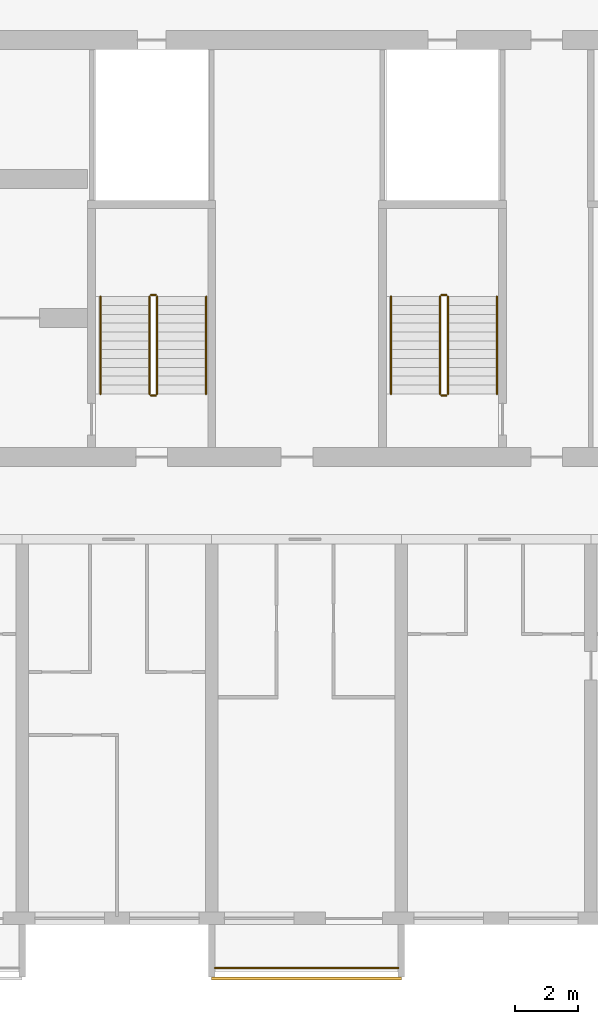
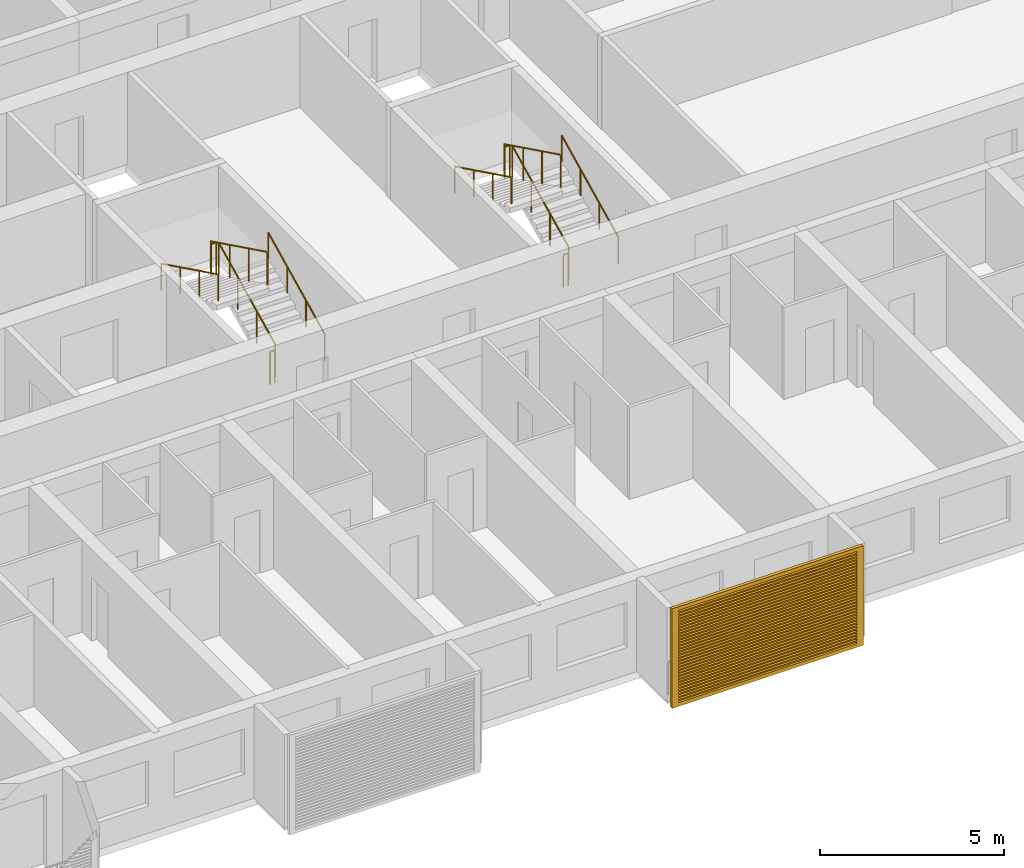
# One storey, part 32 of 40: 13 railings, 1 shading device.
"""IFC4 building model written with IfcOpenShell, lengths in metres."""

import ifcopenshell
import ifcopenshell.guid

model = None  # the IFC model being written
_history = None  # IfcOwnerHistory: only IFC2X3 demands one
_inside = {}  # id of a spatial element -> (the spatial element, [elements in it])
_under = {}  # id of a project, library or spatial element -> (it, [spatial elements below it])
_declared = {}  # id of a project -> (the project, [libraries it declares])
_typed = {}  # id of a type object -> (the type object, [elements of that type])
_made_of = {}  # id of a material, layer set ... -> (it, [elements and type objects made of it])


def new_model(schema):
    """Start an empty IFC model of exactly this schema.

    Asked for "IFC4X3", IfcOpenShell would pick the latest addendum, in which some entities
    have other attributes; the version numbers below select the first issue.
    IFC2X3 requires an IfcOwnerHistory on every rooted entity: one is made here for all.
    """
    global model, _history
    if schema == "IFC4X3":
        model = ifcopenshell.file(schema_version=(4, 3, 0, 0))
    else:
        model = ifcopenshell.file(schema=schema)
    _inside.clear()
    _under.clear()
    _declared.clear()
    _typed.clear()
    _made_of.clear()
    _history = None
    if model.schema == "IFC2X3":
        org = make("IfcOrganization", Name="unknown")
        user = make(
            "IfcPersonAndOrganization",
            ThePerson=make("IfcPerson", FamilyName="unknown"),
            TheOrganization=org,
        )
        app = make(
            "IfcApplication",
            ApplicationDeveloper=org,
            Version="unknown",
            ApplicationFullName="unknown",
            ApplicationIdentifier="unknown",
        )
        _history = make(
            "IfcOwnerHistory",
            OwningUser=user,
            OwningApplication=app,
            ChangeAction="ADDED",
            CreationDate=0,
        )
    return model


def make(cls, **values):
    """One entity of the class cls with the attributes given. An attribute that is None is left unset."""
    return model.create_entity(
        cls, **{name: value for name, value in values.items() if value is not None}
    )


def rooted(cls, **values):
    """An entity with a GlobalId (a new one), such as an element, a storey or a relation."""
    return make(cls, GlobalId=ifcopenshell.guid.new(), OwnerHistory=_history, **values)


def si_unit(unit_type, name, prefix=None):
    """IfcSIUnit, for example si_unit("LENGTHUNIT", "METRE", prefix="MILLI")."""
    return make("IfcSIUnit", UnitType=unit_type, Prefix=prefix, Name=name)


def assignment(units):
    """IfcUnitAssignment: the units of a project."""
    return None if units is None else make("IfcUnitAssignment", Units=units)


def point(xyz):
    """IfcCartesianPoint."""
    return None if xyz is None else make("IfcCartesianPoint", Coordinates=xyz)


def direction(xyz):
    """IfcDirection."""
    return None if xyz is None else make("IfcDirection", DirectionRatios=xyz)


def frame(location, z_axis=None, x_axis=None):
    """IfcAxis2Placement3D, a coordinate frame: its origin and axes. An axis left out is left unset."""
    return make(
        "IfcAxis2Placement3D",
        Location=point(location),
        Axis=direction(z_axis),
        RefDirection=direction(x_axis),
    )


def frame_2d(location, x_axis=None):
    """IfcAxis2Placement2D, a coordinate frame in the plane: its origin and x axis."""
    return make(
        "IfcAxis2Placement2D", Location=point(location), RefDirection=direction(x_axis)
    )


def origin():
    """The frame at (0, 0, 0) with its axes left unset."""
    return frame((0.0, 0.0, 0.0))


def origin_2d():
    """The frame at (0, 0) in the plane with its x axis left unset."""
    return frame_2d((0.0, 0.0))


def place(relative_to, where):
    """IfcLocalPlacement: puts the frame where relative to a parent placement (None: the world)."""
    return make(
        "IfcLocalPlacement", PlacementRelTo=relative_to, RelativePlacement=where
    )


def context(
    kind, dimensions, precision=None, world=None, true_north=None, identifier=None
):
    """IfcGeometricRepresentationContext, for example the 3D "Model" context."""
    return make(
        "IfcGeometricRepresentationContext",
        ContextIdentifier=identifier,
        ContextType=kind,
        CoordinateSpaceDimension=dimensions,
        Precision=precision,
        WorldCoordinateSystem=world,
        TrueNorth=true_north,
    )


def subcontext(parent, identifier, kind, view, scale=None):
    """IfcGeometricRepresentationSubContext, for example "Body" below "Model"."""
    return make(
        "IfcGeometricRepresentationSubContext",
        ContextIdentifier=identifier,
        ContextType=kind,
        ParentContext=parent,
        TargetScale=scale,
        TargetView=view,
    )


def project(units=None, contexts=None):
    """IfcProject with its units and contexts."""
    return rooted(
        "IfcProject",
        Name="project",
        RepresentationContexts=contexts,
        UnitsInContext=assignment(units),
    )


def spatial(cls, under=None, at=None, **own):
    """A site, building, storey or space (cls), placed at a placement, below another one or the project."""
    s = rooted(cls, ObjectPlacement=at, **own)
    if under is not None:
        _under.setdefault(under.id(), (under, []))[1].append(s)
    return s


def polyline(points):
    """IfcPolyline through the points."""
    return make("IfcPolyline", Points=[point(p) for p in points])


def profile(cls, at=None, kind="AREA", **sizes):
    """A parametric profile (cls). Its sizes go by their IFC names, for example OverallWidth=200.0."""
    return make(cls, ProfileType=kind, Position=at, **sizes)


def circle(**sizes):
    """IfcCircleProfileDef."""
    return profile("IfcCircleProfileDef", **sizes)


def outline(outer, holes=None, kind="AREA"):
    """IfcArbitraryClosedProfileDef: a profile drawn as a closed curve; with holes, ...WithVoids."""
    if holes is None:
        return make("IfcArbitraryClosedProfileDef", ProfileType=kind, OuterCurve=outer)
    return make(
        "IfcArbitraryProfileDefWithVoids",
        ProfileType=kind,
        OuterCurve=outer,
        InnerCurves=holes,
    )


def extrude(swept, where, along, depth):
    """IfcExtrudedAreaSolid: the profile swept, set in the frame where, extruded along a direction by depth."""
    return make(
        "IfcExtrudedAreaSolid",
        SweptArea=swept,
        Position=where,
        ExtrudedDirection=direction(along),
        Depth=depth,
    )


def shape(context_of_items, identifier, shape_type, items):
    """IfcShapeRepresentation: the items that make up one representation, for example the "Body"."""
    return make(
        "IfcShapeRepresentation",
        ContextOfItems=context_of_items,
        RepresentationIdentifier=identifier,
        RepresentationType=shape_type,
        Items=items,
    )


def source(mapping_origin, context_of_items, identifier, shape_type, items):
    """IfcRepresentationMap: a shape defined once, which mapped items show again and again."""
    return make(
        "IfcRepresentationMap",
        MappingOrigin=mapping_origin,
        MappedRepresentation=shape(context_of_items, identifier, shape_type, items),
    )


def transform(
    local_origin,
    x_axis=None,
    y_axis=None,
    z_axis=None,
    scale=None,
    scale2=None,
    scale3=None,
    uniform=True,
):
    """IfcCartesianTransformationOperator3D, or its non-uniform kind. x_axis, y_axis, z_axis: its Axis1, 2, 3."""
    if uniform:
        return make(
            "IfcCartesianTransformationOperator3D",
            Axis1=direction(x_axis),
            Axis2=direction(y_axis),
            LocalOrigin=point(local_origin),
            Scale=scale,
            Axis3=direction(z_axis),
        )
    return make(
        "IfcCartesianTransformationOperator3DnonUniform",
        Axis1=direction(x_axis),
        Axis2=direction(y_axis),
        LocalOrigin=point(local_origin),
        Scale=scale,
        Axis3=direction(z_axis),
        Scale2=scale2,
        Scale3=scale3,
    )


def mapped(mapping_source, mapping_target):
    """IfcMappedItem: shows the shape of a source again, moved by a transform."""
    return make(
        "IfcMappedItem", MappingSource=mapping_source, MappingTarget=mapping_target
    )


def material(Name=None, Category=None):
    """IfcMaterial."""
    return make("IfcMaterial", Name=Name, Category=Category)


def material_profile(
    of_material, cross_section, Name=None, Category=None, Priority=None
):
    """IfcMaterialProfile: a cross section and its material."""
    return make(
        "IfcMaterialProfile",
        Name=Name,
        Material=of_material,
        Profile=cross_section,
        Priority=Priority,
        Category=Category,
    )


def profile_set(profiles, Name=None, composite=None):
    """IfcMaterialProfileSet."""
    return make(
        "IfcMaterialProfileSet",
        Name=Name,
        MaterialProfiles=profiles,
        CompositeProfile=composite,
    )


def made_of(thing, what):
    """Note that an element or type object is made of a material, layer set ...; save() writes the relation."""
    if what is not None:
        _made_of.setdefault(what.id(), (what, []))[1].append(thing)
    return thing


def type_object(cls, material=None, **own):
    """A type object (cls), such as IfcWallType, which elements share."""
    return made_of(rooted(cls, **own), material)


def element(
    cls,
    number,
    at=None,
    inside=None,
    cuts=None,
    type_object=None,
    material=None,
    context=None,
    identifier="Body",
    shape_type=None,
    held_by="IfcProductDefinitionShape",
    body=None,
    shapes=None,
    **own,
):
    """One element of the class cls, such as IfcWall. Its Tag is "e" and its number.

    at: its placement. inside: the storey or other place that contains it. cuts: it is an
    opening in that element (IfcRelVoidsElement). A single representation is given by context,
    identifier, shape_type and body (its items); several are given by shapes. held_by: the class
    of the entity that holds the representations. save() writes the other relations.
    """
    e = rooted(cls, Tag="e%d" % number, ObjectPlacement=at, **own)
    if body is not None:
        shapes = [shape(context, identifier, shape_type, body)]
    if shapes is not None:
        e.Representation = make(held_by, Representations=shapes)
    if inside is not None:
        _inside.setdefault(inside.id(), (inside, []))[1].append(e)
    if cuts is not None:
        rooted(
            "IfcRelVoidsElement", RelatingBuildingElement=cuts, RelatedOpeningElement=e
        )
    if type_object is not None:
        _typed.setdefault(type_object.id(), (type_object, []))[1].append(e)
    return made_of(e, material)


def aggregate(whole, parts):
    """IfcRelAggregates: a whole, such as a stair, and the parts it consists of."""
    return rooted("IfcRelAggregates", RelatingObject=whole, RelatedObjects=parts)


def save(model, path):
    """Write the relations noted so far, then the file.

    IfcRelAggregates (storeys below a building ...), IfcRelContainedInSpatialStructure (elements
    in a storey), IfcRelDefinesByType, IfcRelAssociatesMaterial and IfcRelDeclares: one each for
    every whole, place, type object, material and project.
    """
    for whole, parts in _under.values():
        aggregate(whole, parts)
    for where, things in _inside.values():
        rooted(
            "IfcRelContainedInSpatialStructure",
            RelatedElements=things,
            RelatingStructure=where,
        )
    for kind, things in _typed.values():
        rooted("IfcRelDefinesByType", RelatedObjects=things, RelatingType=kind)
    for what, things in _made_of.values():
        rooted("IfcRelAssociatesMaterial", RelatedObjects=things, RelatingMaterial=what)
    for by, libraries in _declared.values():
        rooted("IfcRelDeclares", RelatingContext=by, RelatedDefinitions=libraries)
    model.write(path)


model = new_model("IFC4")

# Units and contexts
model_context = context("Model", 3, precision=1e-05, world=origin(), true_north=direction((0.0, 1.0)))
body_context = subcontext(model_context, "Body", "Model", "MODEL_VIEW")
ifc_project = project(units=[si_unit("LENGTHUNIT", "METRE"), si_unit("AREAUNIT", "SQUARE_METRE"), si_unit("VOLUMEUNIT", "CUBIC_METRE"), si_unit("PLANEANGLEUNIT", "RADIAN"), si_unit("MASSUNIT", "GRAM", prefix="KILO")], contexts=[model_context])

# Site, building, storey
site_placement = place(None, origin())
site = spatial("IfcSite", under=ifc_project, at=site_placement, CompositionType="ELEMENT")
building_placement = place(site_placement, origin())
building = spatial("IfcBuilding", under=site, at=building_placement, Name="Poui Terraces", CompositionType="ELEMENT")
storey_placement = place(building_placement, frame((0.0, 0.0, 33.300048828125)))
storey = spatial("IfcBuildingStorey", under=building, at=storey_placement, Name="L08", CompositionType="ELEMENT", Elevation=33.300048828125)

# Railings
ifc_material_1 = material(Name="Painted steel fretwork", Category="steel")
railing_type_1 = type_object("IfcRailingType", Name="BALCONY GUARD 1100", PredefinedType="GUARDRAIL", material=ifc_material_1)
railing_1_placement = place(storey_placement, frame((72.10009765625, -1.570068359375, 0.0)))
element("IfcRailing", 1, at=railing_1_placement, inside=storey, type_object=railing_type_1, Name="BALCONY GUARD", PredefinedType="GUARDRAIL", context=body_context, shape_type="SweptSolid", body=[
    extrude(circle(Radius=0.02392578125, at=origin_2d()), frame((0.0, 0.0, 1.076171875), z_axis=(1.0, 0.0, 0.0), x_axis=(0.0, 1.0, 0.0)), (0.0, 0.0, 1.0), 5.7998046875),
    extrude(circle(Radius=0.02099609375, at=origin_2d()), origin(), (0.0, 0.0, 1.0), 1.052001953125),
    extrude(circle(Radius=0.02099609375, at=origin_2d()), frame((0.966552734375, 0.0, 0.0)), (0.0, 0.0, 1.0), 1.052001953125),
    extrude(circle(Radius=0.02099609375, at=origin_2d()), frame((1.933349609375, 0.0, 0.0)), (0.0, 0.0, 1.0), 1.052001953125),
    extrude(circle(Radius=0.02099609375, at=origin_2d()), frame((2.89990234375, 0.0, 0.0)), (0.0, 0.0, 1.0), 1.052001953125),
    extrude(circle(Radius=0.02099609375, at=origin_2d()), frame((3.866455078125, 0.0, 0.0)), (0.0, 0.0, 1.0), 1.052001953125),
    extrude(circle(Radius=0.02099609375, at=origin_2d()), frame((4.833251953125, 0.0, 0.0)), (0.0, 0.0, 1.0), 1.052001953125),
    extrude(circle(Radius=0.02099609375, at=origin_2d()), frame((5.7998046875, 0.0, 0.0)), (0.0, 0.0, 1.0), 1.052001953125),
])
ifc_material_2 = material(Name="Galvanised steel balustrade", Category="steel")
railing_type_2 = type_object("IfcRailingType", Name="STAIR GUARD 1100", PredefinedType="GUARDRAIL", material=ifc_material_2)
railing_2_placement = place(storey_placement, frame((70.27490234375, 16.60009765625, 0.137451171875)))
element("IfcRailing", 2, at=railing_2_placement, inside=storey, type_object=railing_type_2, Name="L08 ST-CE stair guard 1", PredefinedType="GUARDRAIL", context=body_context, shape_type="SweptSolid", body=[
    extrude(circle(Radius=0.02392578125, at=origin_2d()), frame((0.0, 0.0, 1.076171875), z_axis=(0.0, 0.897606190399, 0.440798283751), x_axis=(-1.0, 0.0, 0.0)), (0.0, 0.0, 1.0), 3.43115234375),
    extrude(circle(Radius=0.02099609375, at=origin_2d()), origin(), (0.0, 0.0, 1.0), 1.052001953125),
    extrude(circle(Radius=0.02099609375, at=origin_2d()), frame((0.0, 1.026611328125, 0.504150390625)), (0.0, 0.0, 1.0), 1.052001953125),
    extrude(circle(Radius=0.02099609375, at=origin_2d()), frame((0.0, 2.05322265625, 1.00830078125)), (0.0, 0.0, 1.0), 1.052001953125),
    extrude(circle(Radius=0.02099609375, at=origin_2d()), frame((0.0, 3.079833984375, 1.512451171875)), (0.0, 0.0, 1.0), 1.052001953125),
])
railing_3_placement = place(storey_placement, frame((70.22509765625, 19.72998046875, 1.64990234375)))
element("IfcRailing", 3, at=railing_3_placement, inside=storey, type_object=railing_type_2, Name="L08 ST-CE stair guard 2", PredefinedType="GUARDRAIL", context=body_context, shape_type="SweptSolid", body=[
    extrude(circle(Radius=0.02392578125, at=origin_2d()), frame((0.0, 0.0, 1.076171875), z_axis=(-1.0, 0.0, 0.0), x_axis=(0.0, -1.0, 0.0)), (0.0, 0.0, 1.0), 0.150146484375),
    extrude(circle(Radius=0.02099609375, at=origin_2d()), origin(), (0.0, 0.0, 1.0), 1.052001953125),
    extrude(circle(Radius=0.02099609375, at=origin_2d()), frame((-0.150146484375, 0.0, 0.0)), (0.0, 0.0, 1.0), 1.052001953125),
])
railing_4_placement = place(storey_placement, frame((70.02490234375, 19.679931640625, 1.787353515625)))
element("IfcRailing", 4, at=railing_4_placement, inside=storey, type_object=railing_type_2, Name="L08 ST-CE stair guard 3", PredefinedType="GUARDRAIL", context=body_context, shape_type="SweptSolid", body=[
    extrude(circle(Radius=0.02392578125, at=origin_2d()), frame((0.0, 0.0, 1.076171875), z_axis=(0.0, -0.897578036475, 0.440855609512), x_axis=(1.0, 0.0, 0.0)), (0.0, 0.0, 1.0), 3.43115234375),
    extrude(circle(Radius=0.02099609375, at=origin_2d()), origin(), (0.0, 0.0, 1.0), 1.052001953125),
    extrude(circle(Radius=0.02099609375, at=origin_2d()), frame((0.0, -1.026611328125, 0.504150390625)), (0.0, 0.0, 1.0), 1.052001953125),
    extrude(circle(Radius=0.02099609375, at=origin_2d()), frame((0.0, -2.05322265625, 1.008544921875)), (0.0, 0.0, 1.0), 1.052001953125),
    extrude(circle(Radius=0.02099609375, at=origin_2d()), frame((0.0, -3.079833984375, 1.5126953125)), (0.0, 0.0, 1.0), 1.052001953125),
])
railing_5_placement = place(storey_placement, frame((70.22509765625, 16.550048828125, 0.0)))
element("IfcRailing", 5, at=railing_5_placement, inside=storey, type_object=railing_type_2, Name="L08 ST-CE stair guard 4", PredefinedType="GUARDRAIL", context=body_context, shape_type="SweptSolid", body=[
    extrude(circle(Radius=0.02392578125, at=origin_2d()), frame((0.0, 0.0, 1.076171875), z_axis=(-1.0, 0.0, 0.0), x_axis=(0.0, -1.0, 0.0)), (0.0, 0.0, 1.0), 0.150146484375),
    extrude(circle(Radius=0.02099609375, at=origin_2d()), origin(), (0.0, 0.0, 1.0), 1.052001953125),
    extrude(circle(Radius=0.02099609375, at=origin_2d()), frame((-0.150146484375, 0.0, 0.0)), (0.0, 0.0, 1.0), 1.052001953125),
])
railing_6_placement = place(storey_placement, frame((79.47509765625, 16.60009765625, 0.137451171875)))
element("IfcRailing", 6, at=railing_6_placement, inside=storey, type_object=railing_type_2, Name="L08 ST-E stair guard 1", PredefinedType="GUARDRAIL", context=body_context, shape_type="SweptSolid", body=[
    extrude(circle(Radius=0.02392578125, at=origin_2d()), frame((0.0, 0.0, 1.076171875), z_axis=(0.0, 0.897606190399, 0.440798283751), x_axis=(-1.0, 0.0, 0.0)), (0.0, 0.0, 1.0), 3.43115234375),
    extrude(circle(Radius=0.02099609375, at=origin_2d()), origin(), (0.0, 0.0, 1.0), 1.052001953125),
    extrude(circle(Radius=0.02099609375, at=origin_2d()), frame((0.0, 1.026611328125, 0.504150390625)), (0.0, 0.0, 1.0), 1.052001953125),
    extrude(circle(Radius=0.02099609375, at=origin_2d()), frame((0.0, 2.05322265625, 1.00830078125)), (0.0, 0.0, 1.0), 1.052001953125),
    extrude(circle(Radius=0.02099609375, at=origin_2d()), frame((0.0, 3.079833984375, 1.512451171875)), (0.0, 0.0, 1.0), 1.052001953125),
])
railing_7_placement = place(storey_placement, frame((79.425048828125, 19.72998046875, 1.64990234375)))
element("IfcRailing", 7, at=railing_7_placement, inside=storey, type_object=railing_type_2, Name="L08 ST-E stair guard 2", PredefinedType="GUARDRAIL", context=body_context, shape_type="SweptSolid", body=[
    extrude(circle(Radius=0.02392578125, at=origin_2d()), frame((0.0, 0.0, 1.076171875), z_axis=(-1.0, 0.0, 0.0), x_axis=(0.0, -1.0, 0.0)), (0.0, 0.0, 1.0), 0.150146484375),
    extrude(circle(Radius=0.02099609375, at=origin_2d()), origin(), (0.0, 0.0, 1.0), 1.052001953125),
    extrude(circle(Radius=0.02099609375, at=origin_2d()), frame((-0.150146484375, 0.0, 0.0)), (0.0, 0.0, 1.0), 1.052001953125),
])
railing_8_placement = place(storey_placement, frame((79.22509765625, 19.679931640625, 1.787353515625)))
element("IfcRailing", 8, at=railing_8_placement, inside=storey, type_object=railing_type_2, Name="L08 ST-E stair guard 3", PredefinedType="GUARDRAIL", context=body_context, shape_type="SweptSolid", body=[
    extrude(circle(Radius=0.02392578125, at=origin_2d()), frame((0.0, 0.0, 1.076171875), z_axis=(0.0, -0.897578036475, 0.440855609512), x_axis=(1.0, 0.0, 0.0)), (0.0, 0.0, 1.0), 3.43115234375),
    extrude(circle(Radius=0.02099609375, at=origin_2d()), origin(), (0.0, 0.0, 1.0), 1.052001953125),
    extrude(circle(Radius=0.02099609375, at=origin_2d()), frame((0.0, -1.026611328125, 0.504150390625)), (0.0, 0.0, 1.0), 1.052001953125),
    extrude(circle(Radius=0.02099609375, at=origin_2d()), frame((0.0, -2.05322265625, 1.008544921875)), (0.0, 0.0, 1.0), 1.052001953125),
    extrude(circle(Radius=0.02099609375, at=origin_2d()), frame((0.0, -3.079833984375, 1.5126953125)), (0.0, 0.0, 1.0), 1.052001953125),
])
railing_9_placement = place(storey_placement, frame((79.425048828125, 16.550048828125, 0.0)))
element("IfcRailing", 9, at=railing_9_placement, inside=storey, type_object=railing_type_2, Name="L08 ST-E stair guard 4", PredefinedType="GUARDRAIL", context=body_context, shape_type="SweptSolid", body=[
    extrude(circle(Radius=0.02392578125, at=origin_2d()), frame((0.0, 0.0, 1.076171875), z_axis=(-1.0, 0.0, 0.0), x_axis=(0.0, -1.0, 0.0)), (0.0, 0.0, 1.0), 0.150146484375),
    extrude(circle(Radius=0.02099609375, at=origin_2d()), origin(), (0.0, 0.0, 1.0), 1.052001953125),
    extrude(circle(Radius=0.02099609375, at=origin_2d()), frame((-0.150146484375, 0.0, 0.0)), (0.0, 0.0, 1.0), 1.052001953125),
])
ifc_material_3 = material(Name="Stainless steel handrail", Category="steel")
railing_type_3 = type_object("IfcRailingType", Name="STAIR HANDRAIL 900", PredefinedType="HANDRAIL", material=ifc_material_3)
railing_10_placement = place(storey_placement, frame((71.824951171875, 16.60009765625, 0.137451171875)))
element("IfcRailing", 10, at=railing_10_placement, inside=storey, type_object=railing_type_3, Name="L08 ST-CE stair handrail 1", PredefinedType="HANDRAIL", context=body_context, shape_type="SweptSolid", body=[
    extrude(circle(Radius=0.02392578125, at=origin_2d()), frame((0.0, 0.0, 0.8759765625), z_axis=(0.0, 0.897606190399, 0.440798283751), x_axis=(-1.0, 0.0, 0.0)), (0.0, 0.0, 1.0), 3.43115234375),
    extrude(circle(Radius=0.02099609375, at=origin_2d()), origin(), (0.0, 0.0, 1.0), 0.851806640625),
    extrude(circle(Radius=0.02099609375, at=origin_2d()), frame((0.0, 1.026611328125, 0.504150390625)), (0.0, 0.0, 1.0), 0.851806640625),
    extrude(circle(Radius=0.02099609375, at=origin_2d()), frame((0.0, 2.05322265625, 1.00830078125)), (0.0, 0.0, 1.0), 0.851806640625),
    extrude(circle(Radius=0.02099609375, at=origin_2d()), frame((0.0, 3.079833984375, 1.512451171875)), (0.0, 0.0, 1.0), 0.851806640625),
])
railing_11_placement = place(storey_placement, frame((68.47509765625, 19.679931640625, 1.787353515625)))
element("IfcRailing", 11, at=railing_11_placement, inside=storey, type_object=railing_type_3, Name="L08 ST-CE stair handrail 2", PredefinedType="HANDRAIL", context=body_context, shape_type="SweptSolid", body=[
    extrude(circle(Radius=0.02392578125, at=origin_2d()), frame((0.0, 0.0, 0.8759765625), z_axis=(0.0, -0.897578036475, 0.440855609512), x_axis=(1.0, 0.0, 0.0)), (0.0, 0.0, 1.0), 3.43115234375),
    extrude(circle(Radius=0.02099609375, at=origin_2d()), origin(), (0.0, 0.0, 1.0), 0.851806640625),
    extrude(circle(Radius=0.02099609375, at=origin_2d()), frame((0.0, -1.026611328125, 0.504150390625)), (0.0, 0.0, 1.0), 0.851806640625),
    extrude(circle(Radius=0.02099609375, at=origin_2d()), frame((0.0, -2.05322265625, 1.008544921875)), (0.0, 0.0, 1.0), 0.851806640625),
    extrude(circle(Radius=0.02099609375, at=origin_2d()), frame((0.0, -3.079833984375, 1.5126953125)), (0.0, 0.0, 1.0), 0.851806640625),
])
railing_12_placement = place(storey_placement, frame((81.02490234375, 16.60009765625, 0.137451171875)))
element("IfcRailing", 12, at=railing_12_placement, inside=storey, type_object=railing_type_3, Name="L08 ST-E stair handrail 1", PredefinedType="HANDRAIL", context=body_context, shape_type="SweptSolid", body=[
    extrude(circle(Radius=0.02392578125, at=origin_2d()), frame((0.0, 0.0, 0.8759765625), z_axis=(0.0, 0.897606190399, 0.440798283751), x_axis=(-1.0, 0.0, 0.0)), (0.0, 0.0, 1.0), 3.43115234375),
    extrude(circle(Radius=0.02099609375, at=origin_2d()), origin(), (0.0, 0.0, 1.0), 0.851806640625),
    extrude(circle(Radius=0.02099609375, at=origin_2d()), frame((0.0, 1.026611328125, 0.504150390625)), (0.0, 0.0, 1.0), 0.851806640625),
    extrude(circle(Radius=0.02099609375, at=origin_2d()), frame((0.0, 2.05322265625, 1.00830078125)), (0.0, 0.0, 1.0), 0.851806640625),
    extrude(circle(Radius=0.02099609375, at=origin_2d()), frame((0.0, 3.079833984375, 1.512451171875)), (0.0, 0.0, 1.0), 0.851806640625),
])
railing_13_placement = place(storey_placement, frame((77.675048828125, 19.679931640625, 1.787353515625)))
element("IfcRailing", 13, at=railing_13_placement, inside=storey, type_object=railing_type_3, Name="L08 ST-E stair handrail 2", PredefinedType="HANDRAIL", context=body_context, shape_type="SweptSolid", body=[
    extrude(circle(Radius=0.02392578125, at=origin_2d()), frame((0.0, 0.0, 0.8759765625), z_axis=(0.0, -0.897578036475, 0.440855609512), x_axis=(1.0, 0.0, 0.0)), (0.0, 0.0, 1.0), 3.43115234375),
    extrude(circle(Radius=0.02099609375, at=origin_2d()), origin(), (0.0, 0.0, 1.0), 0.851806640625),
    extrude(circle(Radius=0.02099609375, at=origin_2d()), frame((0.0, -1.026611328125, 0.504150390625)), (0.0, 0.0, 1.0), 0.851806640625),
    extrude(circle(Radius=0.02099609375, at=origin_2d()), frame((0.0, -2.05322265625, 1.008544921875)), (0.0, 0.0, 1.0), 0.851806640625),
    extrude(circle(Radius=0.02099609375, at=origin_2d()), frame((0.0, -3.079833984375, 1.5126953125)), (0.0, 0.0, 1.0), 0.851806640625),
])

# Shading device
ifc_material_4 = material(Name="Aluminium louvre", Category="aluminium")
ifc_material_profile = material_profile(ifc_material_4, outline(polyline([(-3.0, -1.64990234375), (3.0, -1.64990234375), (3.0, 1.64990234375), (-3.0, 1.64990234375), (-3.0, -1.64990234375)]), holes=[polyline([(-2.800048828125, -1.530029296875), (2.800048828125, -1.530029296875), (2.800048828125, -1.469970703125), (-2.800048828125, -1.469970703125), (-2.800048828125, -1.530029296875)]), polyline([(-2.800048828125, -1.429931640625), (2.800048828125, -1.429931640625), (2.800048828125, -1.3701171875), (-2.800048828125, -1.3701171875), (-2.800048828125, -1.429931640625)]), polyline([(-2.800048828125, -1.330078125), (2.800048828125, -1.330078125), (2.800048828125, -1.27001953125), (-2.800048828125, -1.27001953125), (-2.800048828125, -1.330078125)]), polyline([(-2.800048828125, -1.22998046875), (2.800048828125, -1.22998046875), (2.800048828125, -1.169921875), (-2.800048828125, -1.169921875), (-2.800048828125, -1.22998046875)]), polyline([(-2.800048828125, -1.1298828125), (2.800048828125, -1.1298828125), (2.800048828125, -1.070068359375), (-2.800048828125, -1.070068359375), (-2.800048828125, -1.1298828125)]), polyline([(-2.800048828125, -1.030029296875), (2.800048828125, -1.030029296875), (2.800048828125, -0.969970703125), (-2.800048828125, -0.969970703125), (-2.800048828125, -1.030029296875)]), polyline([(-2.800048828125, -0.929931640625), (2.800048828125, -0.929931640625), (2.800048828125, -0.8701171875), (-2.800048828125, -0.8701171875), (-2.800048828125, -0.929931640625)]), polyline([(-2.800048828125, -0.830078125), (2.800048828125, -0.830078125), (2.800048828125, -0.77001953125), (-2.800048828125, -0.77001953125), (-2.800048828125, -0.830078125)]), polyline([(-2.800048828125, -0.72998046875), (2.800048828125, -0.72998046875), (2.800048828125, -0.669921875), (-2.800048828125, -0.669921875), (-2.800048828125, -0.72998046875)]), polyline([(-2.800048828125, -0.6298828125), (2.800048828125, -0.6298828125), (2.800048828125, -0.570068359375), (-2.800048828125, -0.570068359375), (-2.800048828125, -0.6298828125)]), polyline([(-2.800048828125, -0.530029296875), (2.800048828125, -0.530029296875), (2.800048828125, -0.469970703125), (-2.800048828125, -0.469970703125), (-2.800048828125, -0.530029296875)]), polyline([(-2.800048828125, -0.429931640625), (2.800048828125, -0.429931640625), (2.800048828125, -0.3701171875), (-2.800048828125, -0.3701171875), (-2.800048828125, -0.429931640625)]), polyline([(-2.800048828125, -0.330078125), (2.800048828125, -0.330078125), (2.800048828125, -0.27001953125), (-2.800048828125, -0.27001953125), (-2.800048828125, -0.330078125)]), polyline([(-2.800048828125, -0.22998046875), (2.800048828125, -0.22998046875), (2.800048828125, -0.169921875), (-2.800048828125, -0.169921875), (-2.800048828125, -0.22998046875)]), polyline([(-2.800048828125, -0.1298828125), (2.800048828125, -0.1298828125), (2.800048828125, -0.070068359375), (-2.800048828125, -0.070068359375), (-2.800048828125, -0.1298828125)]), polyline([(-2.800048828125, -0.030029296875), (2.800048828125, -0.030029296875), (2.800048828125, 0.030029296875), (-2.800048828125, 0.030029296875), (-2.800048828125, -0.030029296875)]), polyline([(-2.800048828125, 0.070068359375), (2.800048828125, 0.070068359375), (2.800048828125, 0.1298828125), (-2.800048828125, 0.1298828125), (-2.800048828125, 0.070068359375)]), polyline([(-2.800048828125, 0.169921875), (2.800048828125, 0.169921875), (2.800048828125, 0.22998046875), (-2.800048828125, 0.22998046875), (-2.800048828125, 0.169921875)]), polyline([(-2.800048828125, 0.27001953125), (2.800048828125, 0.27001953125), (2.800048828125, 0.330078125), (-2.800048828125, 0.330078125), (-2.800048828125, 0.27001953125)]), polyline([(-2.800048828125, 0.3701171875), (2.800048828125, 0.3701171875), (2.800048828125, 0.429931640625), (-2.800048828125, 0.429931640625), (-2.800048828125, 0.3701171875)]), polyline([(-2.800048828125, 0.469970703125), (2.800048828125, 0.469970703125), (2.800048828125, 0.530029296875), (-2.800048828125, 0.530029296875), (-2.800048828125, 0.469970703125)]), polyline([(-2.800048828125, 0.570068359375), (2.800048828125, 0.570068359375), (2.800048828125, 0.6298828125), (-2.800048828125, 0.6298828125), (-2.800048828125, 0.570068359375)]), polyline([(-2.800048828125, 0.669921875), (2.800048828125, 0.669921875), (2.800048828125, 0.72998046875), (-2.800048828125, 0.72998046875), (-2.800048828125, 0.669921875)]), polyline([(-2.800048828125, 0.77001953125), (2.800048828125, 0.77001953125), (2.800048828125, 0.830078125), (-2.800048828125, 0.830078125), (-2.800048828125, 0.77001953125)]), polyline([(-2.800048828125, 0.8701171875), (2.800048828125, 0.8701171875), (2.800048828125, 0.929931640625), (-2.800048828125, 0.929931640625), (-2.800048828125, 0.8701171875)]), polyline([(-2.800048828125, 0.969970703125), (2.800048828125, 0.969970703125), (2.800048828125, 1.030029296875), (-2.800048828125, 1.030029296875), (-2.800048828125, 0.969970703125)]), polyline([(-2.800048828125, 1.070068359375), (2.800048828125, 1.070068359375), (2.800048828125, 1.1298828125), (-2.800048828125, 1.1298828125), (-2.800048828125, 1.070068359375)]), polyline([(-2.800048828125, 1.169921875), (2.800048828125, 1.169921875), (2.800048828125, 1.22998046875), (-2.800048828125, 1.22998046875), (-2.800048828125, 1.169921875)]), polyline([(-2.800048828125, 1.27001953125), (2.800048828125, 1.27001953125), (2.800048828125, 1.330078125), (-2.800048828125, 1.330078125), (-2.800048828125, 1.27001953125)]), polyline([(-2.800048828125, 1.3701171875), (2.800048828125, 1.3701171875), (2.800048828125, 1.429931640625), (-2.800048828125, 1.429931640625), (-2.800048828125, 1.3701171875)]), polyline([(-2.800048828125, 1.469970703125), (2.800048828125, 1.469970703125), (2.800048828125, 1.530029296875), (-2.800048828125, 1.530029296875), (-2.800048828125, 1.469970703125)])]), Name="JALOUSIE LOUVRE SHUTTER 6000X3300")
ifc_profile_set = profile_set([ifc_material_profile], Name="Aluminium louvre")
shading_device_type = type_object("IfcShadingDeviceType", Name="JALOUSIE LOUVRE SHUTTER 6000X3300", PredefinedType="JALOUSIE", material=ifc_profile_set)
shared_shape = source(origin(), body_context, "Body", "SweptSolid", [
    extrude(outline(polyline([(-3.0, -1.64990234375), (3.0, -1.64990234375), (3.0, 1.64990234375), (-3.0, 1.64990234375), (-3.0, -1.64990234375)]), holes=[polyline([(-2.800048828125, -1.530029296875), (2.800048828125, -1.530029296875), (2.800048828125, -1.469970703125), (-2.800048828125, -1.469970703125), (-2.800048828125, -1.530029296875)]), polyline([(-2.800048828125, -1.429931640625), (2.800048828125, -1.429931640625), (2.800048828125, -1.3701171875), (-2.800048828125, -1.3701171875), (-2.800048828125, -1.429931640625)]), polyline([(-2.800048828125, -1.330078125), (2.800048828125, -1.330078125), (2.800048828125, -1.27001953125), (-2.800048828125, -1.27001953125), (-2.800048828125, -1.330078125)]), polyline([(-2.800048828125, -1.22998046875), (2.800048828125, -1.22998046875), (2.800048828125, -1.169921875), (-2.800048828125, -1.169921875), (-2.800048828125, -1.22998046875)]), polyline([(-2.800048828125, -1.1298828125), (2.800048828125, -1.1298828125), (2.800048828125, -1.070068359375), (-2.800048828125, -1.070068359375), (-2.800048828125, -1.1298828125)]), polyline([(-2.800048828125, -1.030029296875), (2.800048828125, -1.030029296875), (2.800048828125, -0.969970703125), (-2.800048828125, -0.969970703125), (-2.800048828125, -1.030029296875)]), polyline([(-2.800048828125, -0.929931640625), (2.800048828125, -0.929931640625), (2.800048828125, -0.8701171875), (-2.800048828125, -0.8701171875), (-2.800048828125, -0.929931640625)]), polyline([(-2.800048828125, -0.830078125), (2.800048828125, -0.830078125), (2.800048828125, -0.77001953125), (-2.800048828125, -0.77001953125), (-2.800048828125, -0.830078125)]), polyline([(-2.800048828125, -0.72998046875), (2.800048828125, -0.72998046875), (2.800048828125, -0.669921875), (-2.800048828125, -0.669921875), (-2.800048828125, -0.72998046875)]), polyline([(-2.800048828125, -0.6298828125), (2.800048828125, -0.6298828125), (2.800048828125, -0.570068359375), (-2.800048828125, -0.570068359375), (-2.800048828125, -0.6298828125)]), polyline([(-2.800048828125, -0.530029296875), (2.800048828125, -0.530029296875), (2.800048828125, -0.469970703125), (-2.800048828125, -0.469970703125), (-2.800048828125, -0.530029296875)]), polyline([(-2.800048828125, -0.429931640625), (2.800048828125, -0.429931640625), (2.800048828125, -0.3701171875), (-2.800048828125, -0.3701171875), (-2.800048828125, -0.429931640625)]), polyline([(-2.800048828125, -0.330078125), (2.800048828125, -0.330078125), (2.800048828125, -0.27001953125), (-2.800048828125, -0.27001953125), (-2.800048828125, -0.330078125)]), polyline([(-2.800048828125, -0.22998046875), (2.800048828125, -0.22998046875), (2.800048828125, -0.169921875), (-2.800048828125, -0.169921875), (-2.800048828125, -0.22998046875)]), polyline([(-2.800048828125, -0.1298828125), (2.800048828125, -0.1298828125), (2.800048828125, -0.070068359375), (-2.800048828125, -0.070068359375), (-2.800048828125, -0.1298828125)]), polyline([(-2.800048828125, -0.030029296875), (2.800048828125, -0.030029296875), (2.800048828125, 0.030029296875), (-2.800048828125, 0.030029296875), (-2.800048828125, -0.030029296875)]), polyline([(-2.800048828125, 0.070068359375), (2.800048828125, 0.070068359375), (2.800048828125, 0.1298828125), (-2.800048828125, 0.1298828125), (-2.800048828125, 0.070068359375)]), polyline([(-2.800048828125, 0.169921875), (2.800048828125, 0.169921875), (2.800048828125, 0.22998046875), (-2.800048828125, 0.22998046875), (-2.800048828125, 0.169921875)]), polyline([(-2.800048828125, 0.27001953125), (2.800048828125, 0.27001953125), (2.800048828125, 0.330078125), (-2.800048828125, 0.330078125), (-2.800048828125, 0.27001953125)]), polyline([(-2.800048828125, 0.3701171875), (2.800048828125, 0.3701171875), (2.800048828125, 0.429931640625), (-2.800048828125, 0.429931640625), (-2.800048828125, 0.3701171875)]), polyline([(-2.800048828125, 0.469970703125), (2.800048828125, 0.469970703125), (2.800048828125, 0.530029296875), (-2.800048828125, 0.530029296875), (-2.800048828125, 0.469970703125)]), polyline([(-2.800048828125, 0.570068359375), (2.800048828125, 0.570068359375), (2.800048828125, 0.6298828125), (-2.800048828125, 0.6298828125), (-2.800048828125, 0.570068359375)]), polyline([(-2.800048828125, 0.669921875), (2.800048828125, 0.669921875), (2.800048828125, 0.72998046875), (-2.800048828125, 0.72998046875), (-2.800048828125, 0.669921875)]), polyline([(-2.800048828125, 0.77001953125), (2.800048828125, 0.77001953125), (2.800048828125, 0.830078125), (-2.800048828125, 0.830078125), (-2.800048828125, 0.77001953125)]), polyline([(-2.800048828125, 0.8701171875), (2.800048828125, 0.8701171875), (2.800048828125, 0.929931640625), (-2.800048828125, 0.929931640625), (-2.800048828125, 0.8701171875)]), polyline([(-2.800048828125, 0.969970703125), (2.800048828125, 0.969970703125), (2.800048828125, 1.030029296875), (-2.800048828125, 1.030029296875), (-2.800048828125, 0.969970703125)]), polyline([(-2.800048828125, 1.070068359375), (2.800048828125, 1.070068359375), (2.800048828125, 1.1298828125), (-2.800048828125, 1.1298828125), (-2.800048828125, 1.070068359375)]), polyline([(-2.800048828125, 1.169921875), (2.800048828125, 1.169921875), (2.800048828125, 1.22998046875), (-2.800048828125, 1.22998046875), (-2.800048828125, 1.169921875)]), polyline([(-2.800048828125, 1.27001953125), (2.800048828125, 1.27001953125), (2.800048828125, 1.330078125), (-2.800048828125, 1.330078125), (-2.800048828125, 1.27001953125)]), polyline([(-2.800048828125, 1.3701171875), (2.800048828125, 1.3701171875), (2.800048828125, 1.429931640625), (-2.800048828125, 1.429931640625), (-2.800048828125, 1.3701171875)]), polyline([(-2.800048828125, 1.469970703125), (2.800048828125, 1.469970703125), (2.800048828125, 1.530029296875), (-2.800048828125, 1.530029296875), (-2.800048828125, 1.469970703125)])]), origin(), (0.0, 0.0, 1.0), 0.099853515625),
])
shading_device_placement = place(storey_placement, frame((75.0, -1.85009765625, 1.449951171875), z_axis=(0.0, -1.0, 0.0), x_axis=(1.0, 0.0, 0.0)))
element("IfcShadingDevice", 14, at=shading_device_placement, inside=storey, type_object=shading_device_type, Name="JALOUSIE LOUVRE SHUTTER", PredefinedType="JALOUSIE", context=body_context, shape_type="MappedRepresentation", body=[
    mapped(shared_shape, transform((0.0, 0.0, 0.0))),
])

save(model, "model.ifc")
